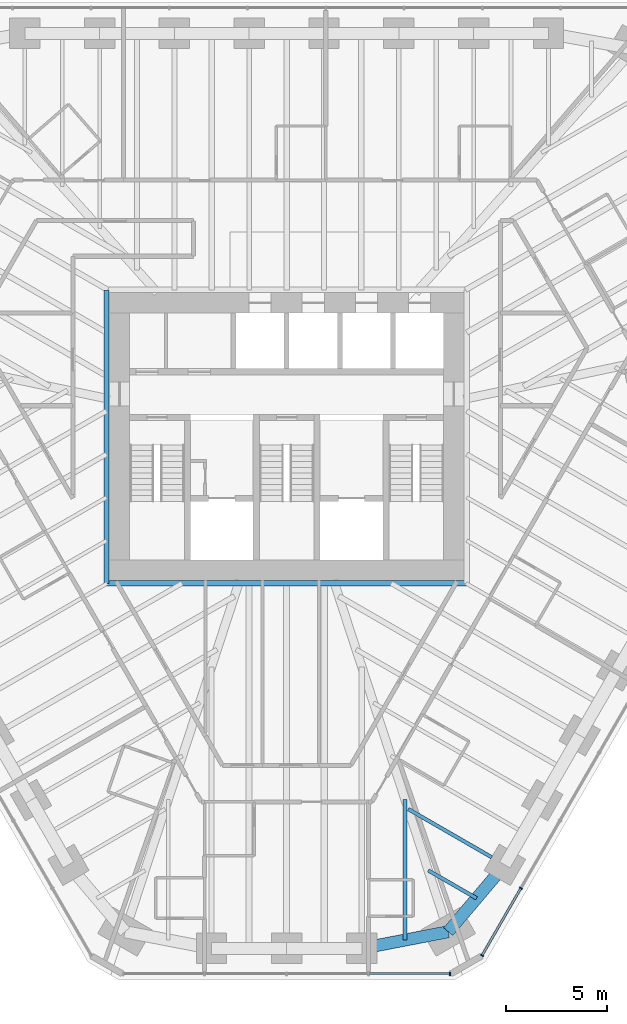
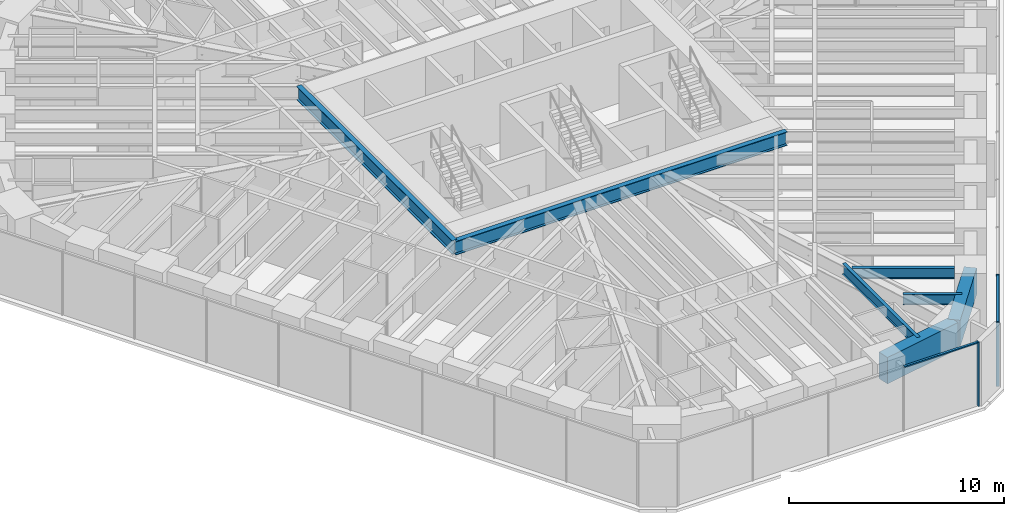
# One storey, part 4 of 16: 7 beams, 5 members, 2 elements without a shape of their own.
"""IFC4 building model written with IfcOpenShell, lengths in metres."""

from ifc_helpers import new_model, si_unit, direction, frame, origin, origin_2d, place, context, subcontext, project, spatial, rectangle, i_section, extrude, material, material_profile, profile_set, type_object, element, aggregate, save


model = new_model("IFC4")

# Units and contexts
model_context = context("Model", 3, precision=1e-05, world=origin(), true_north=direction((0.0, 1.0)))
body_context = subcontext(model_context, "Body", "Model", "MODEL_VIEW")
ifc_project = project(units=[si_unit("LENGTHUNIT", "METRE"), si_unit("AREAUNIT", "SQUARE_METRE"), si_unit("VOLUMEUNIT", "CUBIC_METRE"), si_unit("PLANEANGLEUNIT", "RADIAN"), si_unit("MASSUNIT", "GRAM", prefix="KILO")], contexts=[model_context])

# Site, building, storey
site_placement = place(None, origin())
site = spatial("IfcSite", under=ifc_project, at=site_placement, CompositionType="ELEMENT")
building_placement = place(site_placement, origin())
building = spatial("IfcBuilding", under=site, at=building_placement, Name="Sandreach Pilgrim Tower", CompositionType="ELEMENT")
storey_placement = place(building_placement, frame((0.0, 0.0, 202.199951171875)))
storey = spatial("IfcBuildingStorey", under=building, at=storey_placement, Name="L50", CompositionType="ELEMENT", Elevation=202.199951171875)

# Curtain wall, members
ifc_material_1 = material(Name="Aluminium framed curtain wall", Category="aluminium")
curtain_wall_type = type_object("IfcCurtainWallType", Name="Upper hotel tower curtain wall", PredefinedType="NOTDEFINED", material=ifc_material_1)
curtain_wall_1_placement = place(storey_placement, origin())
curtain_wall_1 = element("IfcCurtainWall", 1, at=curtain_wall_1_placement, inside=storey, type_object=curtain_wall_type, Name="CW-3 L50 SE", PredefinedType="NOTDEFINED")
ifc_material_2 = material(Name="Aluminium extrusion", Category="aluminium")
ifc_material_profile_1 = material_profile(ifc_material_2, rectangle(XDim=0.06494140625, YDim=0.159912109375, at=origin_2d()), Name="CW-3M 65X160")
ifc_profile_set_1 = profile_set([ifc_material_profile_1], Name="Aluminium extrusion")
member_type_1 = type_object("IfcMemberType", Name="CW-3 mullion", PredefinedType="MULLION", material=ifc_profile_set_1)
member_1_placement = place(storey_placement, frame((11.5625, -22.29345703125, 0.0), z_axis=(0.0, 0.0, 1.0), x_axis=(-0.5, -0.866025403784, 0.0)))
member_1 = element("IfcMember", 2, at=member_1_placement, type_object=member_type_1, Name="CW-3 mullion 9", PredefinedType="MULLION", context=body_context, shape_type="SweptSolid", body=[
    extrude(rectangle(XDim=0.06494140625, YDim=0.159912109375, at=origin_2d()), origin(), (0.0, 0.0, 1.0), 3.64013671875),
])
member_2_placement = place(storey_placement, frame((9.646484375, -25.612060546875, 0.0), z_axis=(0.0, 0.0, 1.0), x_axis=(-0.5, -0.866025403784, 0.0)))
member_2 = element("IfcMember", 3, at=member_2_placement, type_object=member_type_1, Name="CW-3 mullion 10", PredefinedType="MULLION", context=body_context, shape_type="SweptSolid", body=[
    extrude(rectangle(XDim=0.06494140625, YDim=0.159912109375, at=origin_2d()), origin(), (0.0, 0.0, 1.0), 3.64013671875),
])

# Curtain wall, member
curtain_wall_2_placement = place(storey_placement, origin())
curtain_wall_2 = element("IfcCurtainWall", 4, at=curtain_wall_2_placement, inside=storey, type_object=curtain_wall_type, Name="CW-3 L50 S", PredefinedType="NOTDEFINED")
member_3_placement = place(storey_placement, frame((8.06494140625, -26.525146484375, 0.0), z_axis=(0.0, 0.0, 1.0), x_axis=(-1.0, 0.0, 0.0)))
member_3 = element("IfcMember", 5, at=member_3_placement, type_object=member_type_1, Name="CW-3 mullion 1", PredefinedType="MULLION", context=body_context, shape_type="SweptSolid", body=[
    extrude(rectangle(XDim=0.06494140625, YDim=0.159912109375, at=origin_2d()), origin(), (0.0, 0.0, 1.0), 3.64013671875),
])

# Member
ifc_material_3 = material(Name="Aluminium extrusion", Category="aluminium")
ifc_material_profile_2 = material_profile(ifc_material_3, rectangle(XDim=0.1201171875, YDim=0.070068359375, at=origin_2d()), Name="CW-3T 120X70")
ifc_profile_set_2 = profile_set([ifc_material_profile_2], Name="Aluminium extrusion")
member_type_2 = type_object("IfcMemberType", Name="CW-3 transom", PredefinedType="USERDEFINED", material=ifc_profile_set_2)
member_4_placement = place(storey_placement, frame((11.546142578125, -22.321533203125, 3.60498046875), z_axis=(-0.499973055223, -0.8660409598, 0.0), x_axis=(0.8660409598, -0.499973055223, 0.0)))
member_4 = element("IfcMember", 6, at=member_4_placement, type_object=member_type_2, Name="CW-3 head transom 9", ObjectType="TRANSOM", PredefinedType="USERDEFINED", context=body_context, shape_type="SweptSolid", body=[
    extrude(rectangle(XDim=0.1201171875, YDim=0.070068359375, at=origin_2d()), origin(), (0.0, 0.0, 1.0), 3.766845703125),
])

aggregate(curtain_wall_1, [member_1, member_2, member_4])

member_5_placement = place(storey_placement, frame((8.032470703125, -26.525146484375, 3.60498046875), z_axis=(-1.0, 0.0, 0.0), x_axis=(0.0, -1.0, 0.0)))
member_5 = element("IfcMember", 7, at=member_5_placement, type_object=member_type_2, Name="CW-3 head transom 1", ObjectType="TRANSOM", PredefinedType="USERDEFINED", context=body_context, shape_type="SweptSolid", body=[
    extrude(rectangle(XDim=0.1201171875, YDim=0.070068359375, at=origin_2d()), origin(), (0.0, 0.0, 1.0), 3.951171875),
])

aggregate(curtain_wall_2, [member_3, member_5])

# Beams
ifc_material_4 = material(Name="Steel ASTM A992 Grade 50", Category="steel")
ifc_material_profile_3 = material_profile(ifc_material_4, i_section(OverallWidth=0.2666015625, OverallDepth=0.77978515625, WebThickness=0.0166015625, FlangeThickness=0.030029296875, at=origin_2d()), Name="W30X148")
ifc_profile_set_3 = profile_set([ifc_material_profile_3], Name="Steel ASTM A992 Grade 50")
beam_type_1 = type_object("IfcBeamType", Name="Core edge beam W30X148", PredefinedType="BEAM", material=ifc_profile_set_3)
beam_1_placement = place(storey_placement, frame((8.893310546875, -7.243408203125, 3.250244140625), z_axis=(-1.0, 0.0, 0.0), x_axis=(0.0, -1.0, 0.0)))
element("IfcBeam", 8, at=beam_1_placement, inside=storey, type_object=beam_type_1, Name="BM L50 CES", PredefinedType="BEAM", context=body_context, shape_type="SweptSolid", body=[
    extrude(i_section(OverallWidth=0.2666015625, OverallDepth=0.77978515625, WebThickness=0.0166015625, FlangeThickness=0.030029296875, at=origin_2d()), origin(), (0.0, 0.0, 1.0), 17.78662109375),
])
beam_2_placement = place(storey_placement, frame((-8.893310546875, -7.243408203125, 3.250244140625), z_axis=(0.0, 1.0, 0.0), x_axis=(-1.0, 0.0, 0.0)))
element("IfcBeam", 9, at=beam_2_placement, inside=storey, type_object=beam_type_1, Name="BM L50 CEW", PredefinedType="BEAM", context=body_context, shape_type="SweptSolid", body=[
    extrude(i_section(OverallWidth=0.2666015625, OverallDepth=0.77978515625, WebThickness=0.0166015625, FlangeThickness=0.030029296875, at=origin_2d()), origin(), (0.0, 0.0, 1.0), 14.48681640625),
])
ifc_material_5 = material(Name="Steel ASTM A992 Grade 50", Category="steel")
ifc_material_profile_4 = material_profile(ifc_material_5, i_section(OverallWidth=0.1787109375, OverallDepth=0.60205078125, WebThickness=0.010986328125, FlangeThickness=0.014892578125, at=origin_2d()), Name="W24X62")
ifc_profile_set_4 = profile_set([ifc_material_profile_4], Name="Steel ASTM A992 Grade 50")
beam_type_2 = type_object("IfcBeamType", Name="Floor beam W24X62", PredefinedType="BEAM", material=ifc_profile_set_4)
beam_3_placement = place(storey_placement, frame((10.12255859375, -20.767333984375, 3.339111328125), z_axis=(-0.86603347311, 0.499986023258, 0.0), x_axis=(-0.499986023258, -0.86603347311, 0.0)))
element("IfcBeam", 10, at=beam_3_placement, inside=storey, type_object=beam_type_2, Name="BM L50 F21", PredefinedType="BEAM", context=body_context, shape_type="SweptSolid", body=[
    extrude(i_section(OverallWidth=0.1787109375, OverallDepth=0.60205078125, WebThickness=0.010986328125, FlangeThickness=0.014892578125, at=origin_2d()), origin(), (0.0, 0.0, 1.0), 4.757568359375),
])
beam_4_placement = place(storey_placement, frame((9.375244140625, -22.7919921875, 3.339111328125), z_axis=(-0.866046803606, 0.49996293259, 0.0), x_axis=(-0.49996293259, -0.866046803606, 0.0)))
element("IfcBeam", 11, at=beam_4_placement, inside=storey, type_object=beam_type_2, Name="BM L50 FM21", PredefinedType="BEAM", context=body_context, shape_type="SweptSolid", body=[
    extrude(i_section(OverallWidth=0.1787109375, OverallDepth=0.60205078125, WebThickness=0.010986328125, FlangeThickness=0.014892578125, at=origin_2d()), origin(), (0.0, 0.0, 1.0), 2.753662109375),
])
beam_5_placement = place(storey_placement, frame((5.844482421875, -24.853515625, 3.339111328125), z_axis=(0.0, 1.0, 0.0), x_axis=(-1.0, 0.0, 0.0)))
element("IfcBeam", 12, at=beam_5_placement, inside=storey, type_object=beam_type_2, Name="BM L50 FM22", PredefinedType="BEAM", context=body_context, shape_type="SweptSolid", body=[
    extrude(i_section(OverallWidth=0.1787109375, OverallDepth=0.60205078125, WebThickness=0.010986328125, FlangeThickness=0.014892578125, at=origin_2d()), origin(), (0.0, 0.0, 1.0), 6.94921875),
])
ifc_material_6 = material(Name="Concrete 10000 psi", Category="concrete")
ifc_material_profile_5 = material_profile(ifc_material_6, rectangle(XDim=0.60009765625, YDim=1.5, at=origin_2d()), Name="RC600X1500")
ifc_profile_set_5 = profile_set([ifc_material_profile_5], Name="Concrete 10000 psi")
beam_type_3 = type_object("IfcBeamType", Name="Spandrel beam RC600X1500", PredefinedType="SPANDREL", material=ifc_profile_set_5)
beam_6_placement = place(storey_placement, frame((10.772216796875, -21.142333984375, 2.89013671875), z_axis=(-0.646180160755, -0.76318490541, 0.0), x_axis=(0.76318490541, -0.646180160755, 0.0)))
element("IfcBeam", 13, at=beam_6_placement, inside=storey, type_object=beam_type_3, Name="BM L50 SP21", PredefinedType="SPANDREL", context=body_context, shape_type="SweptSolid", body=[
    extrude(rectangle(XDim=0.60009765625, YDim=1.5, at=origin_2d()), origin(), (0.0, 0.0, 1.0), 4.323486328125),
])
beam_7_placement = place(storey_placement, frame((7.978515625, -24.44189453125, 2.89013671875), z_axis=(-0.981901333807, -0.18939316426, 0.0), x_axis=(0.18939316426, -0.981901333807, 0.0)))
element("IfcBeam", 14, at=beam_7_placement, inside=storey, type_object=beam_type_3, Name="BM L50 SP22", PredefinedType="SPANDREL", context=body_context, shape_type="SweptSolid", body=[
    extrude(rectangle(XDim=0.60009765625, YDim=1.5, at=origin_2d()), origin(), (0.0, 0.0, 1.0), 4.3466796875),
])

save(model, "model.ifc")
